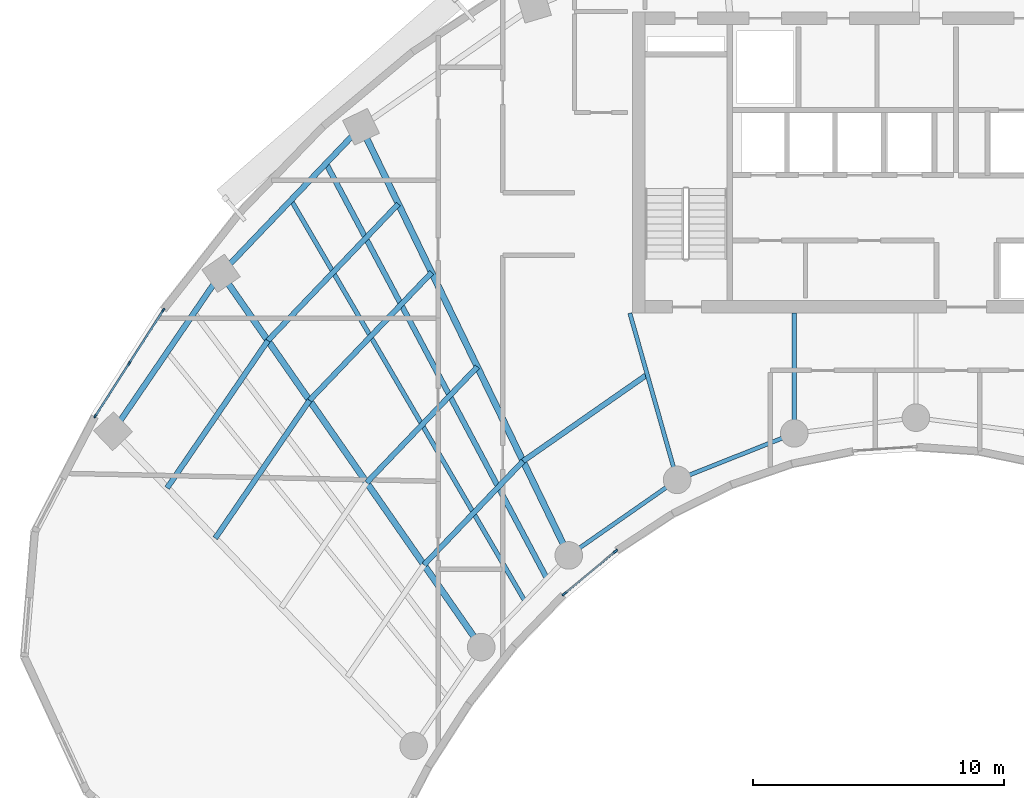
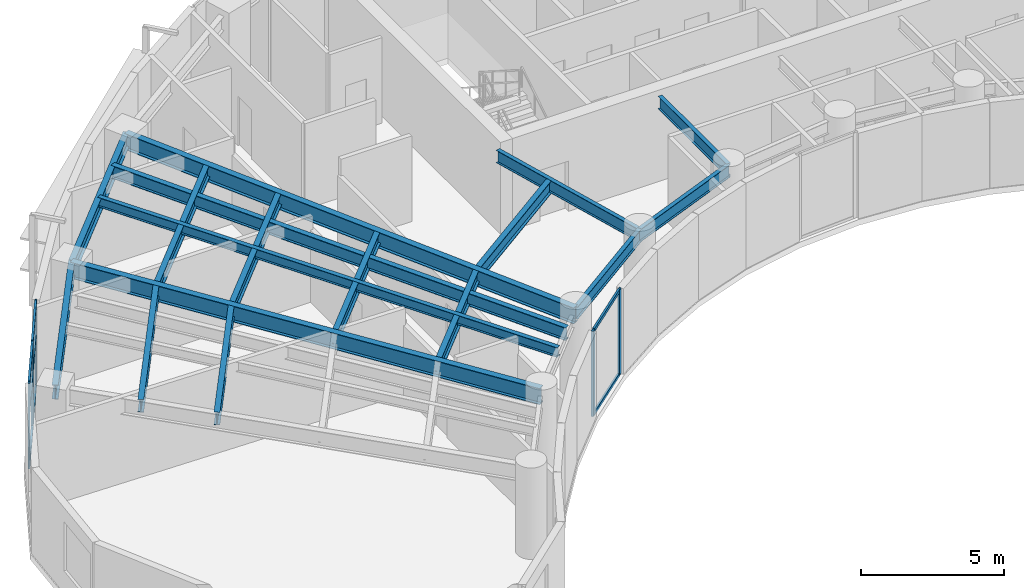
# One storey, part 2 of 13: 17 beams, 13 members, 2 elements without a shape of their own.
"""IFC4 building model written with IfcOpenShell, lengths in metres."""

from ifc_helpers import new_model, si_unit, direction, frame, origin, origin_2d, place, context, subcontext, project, spatial, rectangle, i_section, extrude, source, transform, mapped, material, layer, layer_set, material_profile, profile_set, type_object, type_shapes, element, aggregate, save


model = new_model("IFC4")

# Units and contexts
model_context = context("Model", 3, precision=1e-05, world=origin(), true_north=direction((0.0, 1.0)))
body_context = subcontext(model_context, "Body", "Model", "MODEL_VIEW")
ifc_project = project(units=[si_unit("LENGTHUNIT", "METRE"), si_unit("AREAUNIT", "SQUARE_METRE"), si_unit("VOLUMEUNIT", "CUBIC_METRE"), si_unit("PLANEANGLEUNIT", "RADIAN"), si_unit("MASSUNIT", "GRAM", prefix="KILO")], contexts=[model_context])

# Site, building, storey
site_placement = place(None, origin())
site = spatial("IfcSite", under=ifc_project, at=site_placement, CompositionType="ELEMENT")
building_placement = place(site_placement, origin())
building = spatial("IfcBuilding", under=site, at=building_placement, Name="Breltana Convention Tower", CompositionType="ELEMENT")
storey_placement = place(building_placement, frame((0.0, 0.0, 166.199951171875)))
storey = spatial("IfcBuildingStorey", under=building, at=storey_placement, Name="L40", CompositionType="ELEMENT", Elevation=166.199951171875)

# Beams
ifc_material_1 = material(Name="Steel ASTM A992 Grade 50", Category="steel")
ifc_material_profile_1 = material_profile(ifc_material_1, i_section(OverallWidth=0.179931640625, OverallDepth=0.4130859375, WebThickness=0.009765625, FlangeThickness=0.01611328125, at=origin_2d()), Name="W16X50")
ifc_profile_set_1 = profile_set([ifc_material_profile_1], Name="Steel ASTM A992 Grade 50")
beam_type_1 = type_object("IfcBeamType", Name="BM-JSG-08", PredefinedType="JOIST", material=ifc_profile_set_1)
shared_shape_1 = source(origin(), body_context, "Body", "SweptSolid", [
    extrude(i_section(OverallWidth=0.179931640625, OverallDepth=0.4130859375, WebThickness=0.009765625, FlangeThickness=0.01611328125, at=origin_2d()), origin(), (0.0, 0.0, 1.0), 18.50830078125),
])
beam_1_placement = place(storey_placement, frame((32.421630859375, 48.71875, 3.443603515625), z_axis=(-0.50368319637, 0.863888440537, 0.0), x_axis=(-0.863888440537, -0.50368319637, 0.0)))
element("IfcBeam", 1, at=beam_1_placement, inside=storey, type_object=beam_type_1, Name="L40 Mid-Bay Radial Trimmer 02", PredefinedType="JOIST", context=body_context, shape_type="MappedRepresentation", body=[
    mapped(shared_shape_1, transform((0.0, 0.0, 0.0), scale=1.0)),
])
ifc_material_profile_2 = material_profile(ifc_material_1, i_section(OverallWidth=0.214111328125, OverallDepth=0.549072265625, WebThickness=0.0146484375, FlangeThickness=0.023681640625, at=origin_2d()), Name="W21X93")
ifc_profile_set_2 = profile_set([ifc_material_profile_2], Name="Steel ASTM A992 Grade 50")
beam_type_2 = type_object("IfcBeamType", Name="BM-JSG-03", PredefinedType="JOIST", material=ifc_profile_set_2)
shared_shape_2 = source(origin(), body_context, "Body", "SweptSolid", [
    extrude(i_section(OverallWidth=0.214111328125, OverallDepth=0.549072265625, WebThickness=0.0146484375, FlangeThickness=0.023681640625, at=origin_2d()), origin(), (0.0, 0.0, 1.0), 18.731689453125),
])
beam_2_placement = place(storey_placement, frame((33.2939453125, 49.6318359375, 3.37548828125), z_axis=(-0.469820250451, 0.882762104004, 0.0), x_axis=(-0.882762104004, -0.469820250451, 0.0)))
element("IfcBeam", 2, at=beam_2_placement, inside=storey, type_object=beam_type_2, Name="L40 Quarter-Bay Radial Trimmer 02", PredefinedType="JOIST", context=body_context, shape_type="MappedRepresentation", body=[
    mapped(shared_shape_2, transform((0.0, 0.0, 0.0), scale=1.0)),
])
shared_shape_3 = source(origin(), body_context, "Body", "SweptSolid", [
    extrude(i_section(OverallWidth=0.214111328125, OverallDepth=0.549072265625, WebThickness=0.0146484375, FlangeThickness=0.023681640625, at=origin_2d()), origin(), (0.0, 0.0, 1.0), 6.654541015625),
])
beam_3_placement = place(storey_placement, frame((20.0791015625, 51.23095703125, 3.37548828125), z_axis=(0.564482668195, 0.82544492082, 0.0), x_axis=(-0.82544492082, 0.564482668195, 0.0)))
element("IfcBeam", 3, at=beam_3_placement, inside=storey, type_object=beam_type_2, Name="L40 Composite Floor Joist 01.3", PredefinedType="JOIST", context=body_context, shape_type="MappedRepresentation", body=[
    mapped(shared_shape_3, transform((0.0, 0.0, 0.0), scale=1.0)),
])
shared_shape_4 = source(origin(), body_context, "Body", "SweptSolid", [
    extrude(i_section(OverallWidth=0.214111328125, OverallDepth=0.549072265625, WebThickness=0.0146484375, FlangeThickness=0.023681640625, at=origin_2d()), origin(), (0.0, 0.0, 1.0), 7.111328125),
])
beam_4_placement = place(storey_placement, frame((18.162841796875, 53.2373046875, 3.37548828125), z_axis=(0.564446356178, 0.825469751715, 0.0), x_axis=(-0.825469751715, 0.564446356178, 0.0)))
element("IfcBeam", 4, at=beam_4_placement, inside=storey, type_object=beam_type_2, Name="L40 Composite Floor Joist 01.4", PredefinedType="JOIST", context=body_context, shape_type="MappedRepresentation", body=[
    mapped(shared_shape_4, transform((0.0, 0.0, 0.0), scale=1.0)),
])
shared_shape_5 = source(origin(), body_context, "Body", "SweptSolid", [
    extrude(i_section(OverallWidth=0.214111328125, OverallDepth=0.549072265625, WebThickness=0.0146484375, FlangeThickness=0.023681640625, at=origin_2d()), origin(), (0.0, 0.0, 1.0), 5.716064453125),
])
beam_5_placement = place(storey_placement, frame((28.396484375, 50.169677734375, 3.37548828125), z_axis=(0.690756060045, 0.723087868458, 0.0), x_axis=(-0.723087868458, 0.690756060045, 0.0)))
element("IfcBeam", 5, at=beam_5_placement, inside=storey, type_object=beam_type_2, Name="L40 Composite Floor Joist 02.1", PredefinedType="JOIST", context=body_context, shape_type="MappedRepresentation", body=[
    mapped(shared_shape_5, transform((0.0, 0.0, 0.0), scale=1.0)),
])
shared_shape_6 = source(origin(), body_context, "Body", "SweptSolid", [
    extrude(i_section(OverallWidth=0.214111328125, OverallDepth=0.549072265625, WebThickness=0.0146484375, FlangeThickness=0.023681640625, at=origin_2d()), origin(), (0.0, 0.0, 1.0), 6.381103515625),
])
beam_6_placement = place(storey_placement, frame((26.115966796875, 53.44677734375, 3.37548828125), z_axis=(0.690737768889, 0.723105341309, 0.0), x_axis=(-0.723105341309, 0.690737768889, 0.0)))
element("IfcBeam", 6, at=beam_6_placement, inside=storey, type_object=beam_type_2, Name="L40 Composite Floor Joist 02.2", PredefinedType="JOIST", context=body_context, shape_type="MappedRepresentation", body=[
    mapped(shared_shape_6, transform((0.0, 0.0, 0.0), scale=1.0)),
])
shared_shape_7 = source(origin(), body_context, "Body", "SweptSolid", [
    extrude(i_section(OverallWidth=0.214111328125, OverallDepth=0.549072265625, WebThickness=0.0146484375, FlangeThickness=0.023681640625, at=origin_2d()), origin(), (0.0, 0.0, 1.0), 7.046142578125),
])
beam_7_placement = place(storey_placement, frame((23.83544921875, 56.723876953125, 3.37548828125), z_axis=(0.690722929904, 0.723119515782, 0.0), x_axis=(-0.723119515782, 0.690722929904, 0.0)))
element("IfcBeam", 7, at=beam_7_placement, inside=storey, type_object=beam_type_2, Name="L40 Composite Floor Joist 02.3", PredefinedType="JOIST", context=body_context, shape_type="MappedRepresentation", body=[
    mapped(shared_shape_7, transform((0.0, 0.0, 0.0), scale=1.0)),
])
shared_shape_8 = source(origin(), body_context, "Body", "SweptSolid", [
    extrude(i_section(OverallWidth=0.214111328125, OverallDepth=0.549072265625, WebThickness=0.0146484375, FlangeThickness=0.023681640625, at=origin_2d()), origin(), (0.0, 0.0, 1.0), 7.529541015625),
])
beam_8_placement = place(storey_placement, frame((22.1767578125, 59.107421875, 3.37548828125), z_axis=(0.690725562031, 0.723117001568, 0.0), x_axis=(-0.723117001568, 0.690725562031, 0.0)))
element("IfcBeam", 8, at=beam_8_placement, inside=storey, type_object=beam_type_2, Name="L40 Composite Floor Joist 02.4", PredefinedType="JOIST", context=body_context, shape_type="MappedRepresentation", body=[
    mapped(shared_shape_8, transform((0.0, 0.0, 0.0), scale=1.0)),
])
shared_shape_9 = source(origin(), body_context, "Body", "SweptSolid", [
    extrude(i_section(OverallWidth=0.214111328125, OverallDepth=0.549072265625, WebThickness=0.0146484375, FlangeThickness=0.023681640625, at=origin_2d()), origin(), (0.0, 0.0, 1.0), 5.959228515625),
])
beam_9_placement = place(storey_placement, frame((32.344970703125, 54.302978515625, 3.37548828125), z_axis=(0.820160485262, 0.572133531979, 0.0), x_axis=(-0.572133531979, 0.820160485262, 0.0)))
element("IfcBeam", 9, at=beam_9_placement, inside=storey, type_object=beam_type_2, Name="L40 Composite Floor Joist 03.1", PredefinedType="JOIST", context=body_context, shape_type="MappedRepresentation", body=[
    mapped(shared_shape_9, transform((0.0, 0.0, 0.0), scale=1.0)),
])
ifc_material_profile_3 = material_profile(ifc_material_1, i_section(OverallWidth=0.25390625, OverallDepth=0.68798828125, WebThickness=0.01318359375, FlangeThickness=0.02099609375, at=origin_2d()), Name="W27X102")
ifc_profile_set_3 = profile_set([ifc_material_profile_3], Name="Steel ASTM A992 Grade 50")
beam_type_3 = type_object("IfcBeamType", Name="BM-RG-W27X102", PredefinedType="USERDEFINED", material=ifc_profile_set_3)
shared_shape_10 = source(origin(), body_context, "Body", "SweptSolid", [
    extrude(i_section(OverallWidth=0.25390625, OverallDepth=0.68798828125, WebThickness=0.01318359375, FlangeThickness=0.02099609375, at=origin_2d()), origin(), (0.0, 0.0, 1.0), 18.1484375),
])
beam_10_placement = place(storey_placement, frame((30.67724609375, 46.892333984375, 3.30615234375), z_axis=(-0.571207556098, 0.820805657788, 0.0), x_axis=(-0.820805657788, -0.571207556098, 0.0)))
element("IfcBeam", 10, at=beam_10_placement, inside=storey, type_object=beam_type_3, Name="L40 Radial Floor Girder R02", ObjectType="GIRDER", PredefinedType="USERDEFINED", context=body_context, shape_type="MappedRepresentation", body=[
    mapped(shared_shape_10, transform((0.0, 0.0, 0.0), scale=1.0)),
])
shared_shape_11 = source(origin(), body_context, "Body", "SweptSolid", [
    extrude(i_section(OverallWidth=0.25390625, OverallDepth=0.68798828125, WebThickness=0.01318359375, FlangeThickness=0.02099609375, at=origin_2d()), origin(), (0.0, 0.0, 1.0), 18.982421875),
])
beam_11_placement = place(storey_placement, frame((34.166259765625, 50.544921875, 3.30615234375), z_axis=(-0.436118560343, 0.89988921614, 0.0), x_axis=(-0.89988921614, -0.436118560343, 0.0)))
element("IfcBeam", 11, at=beam_11_placement, inside=storey, type_object=beam_type_3, Name="L40 Radial Floor Girder R03", ObjectType="GIRDER", PredefinedType="USERDEFINED", context=body_context, shape_type="MappedRepresentation", body=[
    mapped(shared_shape_11, transform((0.0, 0.0, 0.0), scale=1.0)),
])
ifc_material_profile_4 = material_profile(ifc_material_1, i_section(OverallWidth=0.166015625, OverallDepth=0.534912109375, WebThickness=0.01025390625, FlangeThickness=0.0166015625, at=origin_2d()), Name="W21X57")
ifc_profile_set_4 = profile_set([ifc_material_profile_4], Name="Steel ASTM A992 Grade 50")
beam_type_4 = type_object("IfcBeamType", Name="BM-BM-W21X57", PredefinedType="BEAM", material=ifc_profile_set_4)
shared_shape_12 = source(origin(), body_context, "Body", "SweptSolid", [
    extrude(i_section(OverallWidth=0.166015625, OverallDepth=0.534912109375, WebThickness=0.01025390625, FlangeThickness=0.0166015625, at=origin_2d()), origin(), (0.0, 0.0, 1.0), 6.904541015625),
])
type_shapes(beam_type_4, [shared_shape_12])
beam_12_placement = place(storey_placement, frame((36.60009765625, 60.199951171875, 3.382568359375), z_axis=(0.273006781054, -0.962012108811, 0.0), x_axis=(0.962012108811, 0.273006781054, 0.0)))
element("IfcBeam", 12, at=beam_12_placement, inside=storey, type_object=beam_type_4, Name="L40 South Core Tie Girder R04", PredefinedType="BEAM", context=body_context, shape_type="MappedRepresentation", body=[
    mapped(shared_shape_12, transform((0.0, 0.0, 0.0), scale=1.0)),
])
shared_shape_13 = source(origin(), body_context, "Body", "SweptSolid", [
    extrude(i_section(OverallWidth=0.166015625, OverallDepth=0.534912109375, WebThickness=0.01025390625, FlangeThickness=0.0166015625, at=origin_2d()), origin(), (0.0, 0.0, 1.0), 4.789306640625),
])
beam_13_placement = place(storey_placement, frame((43.153564453125, 60.199951171875, 3.382568359375), z_axis=(0.0, -1.0, 0.0), x_axis=(1.0, 0.0, 0.0)))
element("IfcBeam", 13, at=beam_13_placement, inside=storey, type_object=beam_type_4, Name="L40 South Core Tie Girder R05", PredefinedType="BEAM", context=body_context, shape_type="MappedRepresentation", body=[
    mapped(shared_shape_13, transform((0.0, 0.0, 0.0), scale=1.0)),
])
ifc_material_profile_5 = material_profile(ifc_material_1, i_section(OverallWidth=0.22802734375, OverallDepth=0.60791015625, WebThickness=0.01123046875, FlangeThickness=0.017333984375, at=origin_2d()), Name="W24X76")
ifc_profile_set_5 = profile_set([ifc_material_profile_5], Name="Steel ASTM A992 Grade 50")
beam_type_5 = type_object("IfcBeamType", Name="BM-SP-W24X76", PredefinedType="SPANDREL", material=ifc_profile_set_5)
shared_shape_14 = source(origin(), body_context, "Body", "SweptSolid", [
    extrude(i_section(OverallWidth=0.22802734375, OverallDepth=0.60791015625, WebThickness=0.01123046875, FlangeThickness=0.017333984375, at=origin_2d()), origin(), (0.0, 0.0, 1.0), 7.625),
])
type_shapes(beam_type_5, [shared_shape_14])
beam_14_placement = place(storey_placement, frame((16.0068359375, 55.494384765625, 3.345947265625), z_axis=(0.564452031902, 0.825465870694, 0.0), x_axis=(-0.825465870694, 0.564452031902, 0.0)))
element("IfcBeam", 14, at=beam_14_placement, inside=storey, type_object=beam_type_5, Name="L40 Outer Spandrel Beam 01", PredefinedType="SPANDREL", context=body_context, shape_type="MappedRepresentation", body=[
    mapped(shared_shape_14, transform((0.0, 0.0, 0.0), scale=1.0)),
])
shared_shape_15 = source(origin(), body_context, "Body", "SweptSolid", [
    extrude(i_section(OverallWidth=0.22802734375, OverallDepth=0.60791015625, WebThickness=0.01123046875, FlangeThickness=0.017333984375, at=origin_2d()), origin(), (0.0, 0.0, 1.0), 8.073974609375),
])
beam_15_placement = place(storey_placement, frame((20.310791015625, 61.78857421875, 3.345947265625), z_axis=(0.69072885448, 0.723113856588, 0.0), x_axis=(-0.723113856588, 0.69072885448, 0.0)))
element("IfcBeam", 15, at=beam_15_placement, inside=storey, type_object=beam_type_5, Name="L40 Outer Spandrel Beam 02", PredefinedType="SPANDREL", context=body_context, shape_type="MappedRepresentation", body=[
    mapped(shared_shape_15, transform((0.0, 0.0, 0.0), scale=1.0)),
])
shared_shape_16 = source(origin(), body_context, "Body", "SweptSolid", [
    extrude(i_section(OverallWidth=0.166015625, OverallDepth=0.534912109375, WebThickness=0.01025390625, FlangeThickness=0.0166015625, at=origin_2d()), origin(), (0.0, 0.0, 1.0), 5.265869140625),
])
beam_16_placement = place(storey_placement, frame((34.166259765625, 50.544921875, 3.382568359375), z_axis=(0.820167429517, 0.572123577176, 0.0), x_axis=(-0.572123577176, 0.820167429517, 0.0)))
element("IfcBeam", 16, at=beam_16_placement, inside=storey, type_object=beam_type_4, Name="L40 Inner Ring Beam 03", PredefinedType="BEAM", context=body_context, shape_type="MappedRepresentation", body=[
    mapped(shared_shape_16, transform((0.0, 0.0, 0.0), scale=1.0)),
])
shared_shape_17 = source(origin(), body_context, "Body", "SweptSolid", [
    extrude(i_section(OverallWidth=0.166015625, OverallDepth=0.534912109375, WebThickness=0.01025390625, FlangeThickness=0.0166015625, at=origin_2d()), origin(), (0.0, 0.0, 1.0), 5.022705078125),
])
beam_17_placement = place(storey_placement, frame((38.485107421875, 53.5576171875, 3.382568359375), z_axis=(0.929458966248, 0.368925507469, 0.0), x_axis=(-0.368925507469, 0.929458966248, 0.0)))
element("IfcBeam", 17, at=beam_17_placement, inside=storey, type_object=beam_type_4, Name="L40 Inner Ring Beam 04", PredefinedType="BEAM", context=body_context, shape_type="MappedRepresentation", body=[
    mapped(shared_shape_17, transform((0.0, 0.0, 0.0), scale=1.0)),
])

# Curtain wall, members
ifc_material_2 = material(Name="Aluminium Anodised Bronze Frame", Category="aluminium")
ifc_layer_1 = layer(ifc_material_2, 0.18994140625, Name="Aluminium Anodised Bronze Frame")
ifc_layer_set_1 = layer_set([ifc_layer_1], Name="Aluminium Anodised Bronze Frame")
curtain_wall_type_1 = type_object("IfcCurtainWallType", Name="CW-SYS-1", PredefinedType="NOTDEFINED", material=ifc_layer_set_1)
curtain_wall_1_placement = place(storey_placement, origin())
curtain_wall_1 = element("IfcCurtainWall", 18, at=curtain_wall_1_placement, inside=storey, type_object=curtain_wall_type_1, Name="L40 inner south-court glazing 5", PredefinedType="NOTDEFINED")
ifc_material_3 = material(Name="Aluminium Anodised Bronze", Category="aluminium")
ifc_material_profile_6 = material_profile(ifc_material_3, rectangle(XDim=0.080078125, YDim=0.199951171875, at=origin_2d()), Name="CWM-80X200")
ifc_profile_set_6 = profile_set([ifc_material_profile_6], Name="Aluminium Anodised Bronze")
member_type_1 = type_object("IfcMemberType", Name="CWM-200", PredefinedType="MULLION", material=ifc_profile_set_6)
shared_shape_18 = source(origin(), body_context, "Body", "SweptSolid", [
    extrude(rectangle(XDim=0.080078125, YDim=0.199951171875, at=origin_2d()), origin(), (0.0, 0.0, 1.0), 3.650146484375),
])
member_1_placement = place(storey_placement, frame((36.024658203125, 50.709228515625, 0.0), z_axis=(0.0, 0.0, 1.0), x_axis=(0.640537495741, -0.767926895316, 0.0)))
member_1 = element("IfcMember", 19, at=member_1_placement, type_object=member_type_1, Name="CW-01 mullion 1", PredefinedType="MULLION", context=body_context, shape_type="MappedRepresentation", body=[
    mapped(shared_shape_18, transform((0.0, 0.0, 0.0), scale=1.0)),
])
member_2_placement = place(storey_placement, frame((33.989990234375, 49.01220703125, 0.0), z_axis=(0.0, 0.0, 1.0), x_axis=(0.640537495741, -0.767926895316, 0.0)))
member_2 = element("IfcMember", 20, at=member_2_placement, type_object=member_type_1, Name="CW-01 mullion 2", PredefinedType="MULLION", context=body_context, shape_type="MappedRepresentation", body=[
    mapped(shared_shape_18, transform((0.0, 0.0, 0.0), scale=1.0)),
])

ifc_layer_2 = layer(ifc_material_2, 0.2099609375, Name="Aluminium Anodised Bronze Frame")
ifc_layer_set_2 = layer_set([ifc_layer_2], Name="Aluminium Anodised Bronze Frame")
curtain_wall_type_2 = type_object("IfcCurtainWallType", Name="CW-SYS-3", PredefinedType="NOTDEFINED", material=ifc_layer_set_2)
curtain_wall_2_placement = place(storey_placement, origin())
curtain_wall_2 = element("IfcCurtainWall", 21, at=curtain_wall_2_placement, inside=storey, type_object=curtain_wall_type_2, Name="L40 outer double-skin inner glazing 1", PredefinedType="NOTDEFINED")
ifc_material_profile_7 = material_profile(ifc_material_3, rectangle(XDim=0.070068359375, YDim=0.175048828125, at=origin_2d()), Name="CWM-70X175")
ifc_profile_set_7 = profile_set([ifc_material_profile_7], Name="Aluminium Anodised Bronze")
member_type_2 = type_object("IfcMemberType", Name="CWM-175", PredefinedType="MULLION", material=ifc_profile_set_7)
shared_shape_19 = source(origin(), body_context, "Body", "SweptSolid", [
    extrude(rectangle(XDim=0.070068359375, YDim=0.175048828125, at=origin_2d()), origin(), (0.0, 0.0, 1.0), 3.650146484375),
])
member_3_placement = place(storey_placement, frame((15.304443359375, 56.10498046875, 0.0), z_axis=(0.0, 0.0, 1.0), x_axis=(-0.841554203529, 0.54017267843, 0.0)))
member_3 = element("IfcMember", 22, at=member_3_placement, type_object=member_type_2, Name="CW-03 mullion 1", PredefinedType="MULLION", context=body_context, shape_type="MappedRepresentation", body=[
    mapped(shared_shape_19, transform((0.0, 0.0, 0.0), scale=1.0)),
])
member_4_placement = place(storey_placement, frame((16.6533203125, 58.20654296875, 0.0), z_axis=(0.0, 0.0, 1.0), x_axis=(-0.841554203529, 0.54017267843, 0.0)))
member_4 = element("IfcMember", 23, at=member_4_placement, type_object=member_type_2, Name="CW-03 mullion 2", PredefinedType="MULLION", context=body_context, shape_type="MappedRepresentation", body=[
    mapped(shared_shape_19, transform((0.0, 0.0, 0.0), scale=1.0)),
])
member_5_placement = place(storey_placement, frame((18.00244140625, 60.308349609375, 0.0), z_axis=(0.0, 0.0, 1.0), x_axis=(-0.841554203529, 0.54017267843, 0.0)))
member_5 = element("IfcMember", 24, at=member_5_placement, type_object=member_type_2, Name="CW-03 mullion 3", PredefinedType="MULLION", context=body_context, shape_type="MappedRepresentation", body=[
    mapped(shared_shape_19, transform((0.0, 0.0, 0.0), scale=1.0)),
])

# Member
ifc_material_profile_8 = material_profile(ifc_material_3, rectangle(XDim=0.080078125, YDim=0.139892578125, at=origin_2d()), Name="CWT-80X140")
ifc_profile_set_8 = profile_set([ifc_material_profile_8], Name="Aluminium Anodised Bronze")
member_type_3 = type_object("IfcMemberType", Name="CWT-140", PredefinedType="USERDEFINED", material=ifc_profile_set_8)
shared_shape_20 = source(origin(), body_context, "Body", "SweptSolid", [
    extrude(rectangle(XDim=0.080078125, YDim=0.139892578125, at=origin_2d()), origin(), (0.0, 0.0, 1.0), 2.5693359375),
])
member_6_placement = place(storey_placement, frame((35.993896484375, 50.68359375, 0.0400390625), z_axis=(-0.767940822982, -0.640520797788, 0.0), x_axis=(0.640520797788, -0.767940822982, 0.0)))
member_6 = element("IfcMember", 25, at=member_6_placement, type_object=member_type_3, Name="CW-01 transom 1.1", ObjectType="TRANSOM", PredefinedType="USERDEFINED", context=body_context, shape_type="MappedRepresentation", body=[
    mapped(shared_shape_20, transform((0.0, 0.0, 0.0), scale=1.0)),
])

member_7_placement = place(storey_placement, frame((35.993896484375, 50.68359375, 3.610107421875), z_axis=(-0.767940822982, -0.640520797788, 0.0), x_axis=(0.640520797788, -0.767940822982, 0.0)))
member_7 = element("IfcMember", 26, at=member_7_placement, type_object=member_type_3, Name="CW-01 transom 1.2", ObjectType="TRANSOM", PredefinedType="USERDEFINED", context=body_context, shape_type="MappedRepresentation", body=[
    mapped(shared_shape_20, transform((0.0, 0.0, 0.0), scale=1.0)),
])

aggregate(curtain_wall_1, [member_1, member_2, member_6, member_7])

shared_shape_21 = source(origin(), body_context, "Body", "SweptSolid", [
    extrude(rectangle(XDim=0.080078125, YDim=0.139892578125, at=origin_2d()), origin(), (0.0, 0.0, 1.0), 2.427490234375),
])
member_8_placement = place(storey_placement, frame((15.3232421875, 56.134521484375, 0.0400390625), z_axis=(0.540203388332, 0.841534490817, 0.0), x_axis=(-0.841534490817, 0.540203388332, 0.0)))
member_8 = element("IfcMember", 27, at=member_8_placement, type_object=member_type_3, Name="CW-03 transom 1.1", ObjectType="TRANSOM", PredefinedType="USERDEFINED", context=body_context, shape_type="MappedRepresentation", body=[
    mapped(shared_shape_21, transform((0.0, 0.0, 0.0), scale=1.0)),
])

member_9_placement = place(storey_placement, frame((15.3232421875, 56.134521484375, 2.37255859375), z_axis=(0.540203388332, 0.841534490817, 0.0), x_axis=(-0.841534490817, 0.540203388332, 0.0)))
member_9 = element("IfcMember", 28, at=member_9_placement, type_object=member_type_3, Name="CW-03 transom 1.2", ObjectType="TRANSOM", PredefinedType="USERDEFINED", context=body_context, shape_type="MappedRepresentation", body=[
    mapped(shared_shape_21, transform((0.0, 0.0, 0.0), scale=1.0)),
])

member_10_placement = place(storey_placement, frame((15.3232421875, 56.134521484375, 3.610107421875), z_axis=(0.540203388332, 0.841534490817, 0.0), x_axis=(-0.841534490817, 0.540203388332, 0.0)))
member_10 = element("IfcMember", 29, at=member_10_placement, type_object=member_type_3, Name="CW-03 transom 1.3", ObjectType="TRANSOM", PredefinedType="USERDEFINED", context=body_context, shape_type="MappedRepresentation", body=[
    mapped(shared_shape_21, transform((0.0, 0.0, 0.0), scale=1.0)),
])

shared_shape_22 = source(origin(), body_context, "Body", "SweptSolid", [
    extrude(rectangle(XDim=0.080078125, YDim=0.139892578125, at=origin_2d()), origin(), (0.0, 0.0, 1.0), 2.42724609375),
])
member_11_placement = place(storey_placement, frame((16.67236328125, 58.236083984375, 0.0400390625), z_axis=(0.540132155308, 0.841580212934, 0.0), x_axis=(-0.841580212934, 0.540132155308, 0.0)))
member_11 = element("IfcMember", 30, at=member_11_placement, type_object=member_type_3, Name="CW-03 transom 2.1", ObjectType="TRANSOM", PredefinedType="USERDEFINED", context=body_context, shape_type="MappedRepresentation", body=[
    mapped(shared_shape_22, transform((0.0, 0.0, 0.0), scale=1.0)),
])

member_12_placement = place(storey_placement, frame((16.67236328125, 58.236083984375, 2.37255859375), z_axis=(0.540132155308, 0.841580212934, 0.0), x_axis=(-0.841580212934, 0.540132155308, 0.0)))
member_12 = element("IfcMember", 31, at=member_12_placement, type_object=member_type_3, Name="CW-03 transom 2.2", ObjectType="TRANSOM", PredefinedType="USERDEFINED", context=body_context, shape_type="MappedRepresentation", body=[
    mapped(shared_shape_22, transform((0.0, 0.0, 0.0), scale=1.0)),
])

member_13_placement = place(storey_placement, frame((16.67236328125, 58.236083984375, 3.610107421875), z_axis=(0.540132155308, 0.841580212934, 0.0), x_axis=(-0.841580212934, 0.540132155308, 0.0)))
member_13 = element("IfcMember", 32, at=member_13_placement, type_object=member_type_3, Name="CW-03 transom 2.3", ObjectType="TRANSOM", PredefinedType="USERDEFINED", context=body_context, shape_type="MappedRepresentation", body=[
    mapped(shared_shape_22, transform((0.0, 0.0, 0.0), scale=1.0)),
])

aggregate(curtain_wall_2, [member_3, member_4, member_5, member_8, member_9, member_10, member_11, member_12, member_13])

save(model, "model.ifc")
